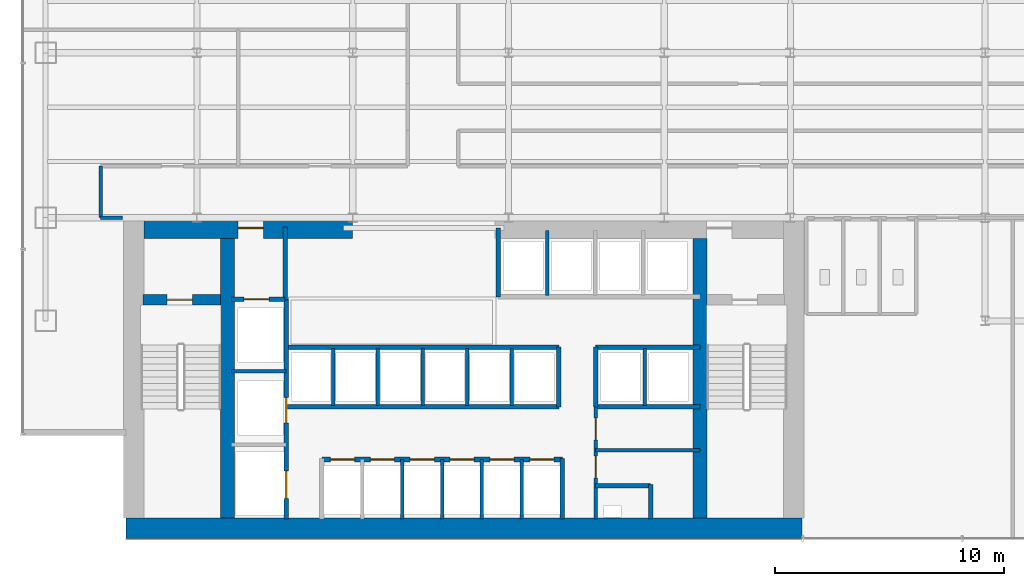
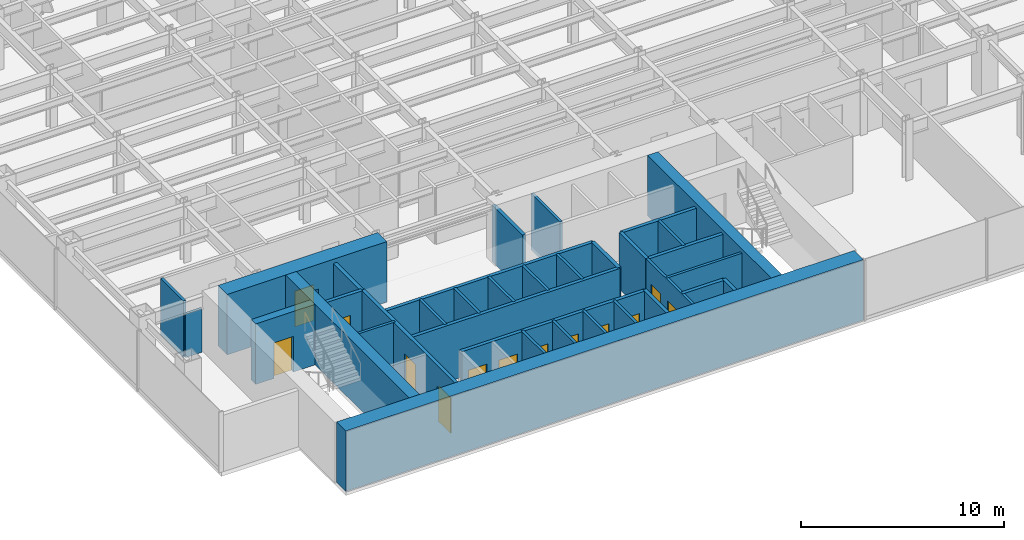
# One storey, part 17 of 22: 35 walls, 13 doors, 13 openings.
"""IFC4 building model written with IfcOpenShell, lengths in metres."""

from ifc_helpers import new_model, si_unit, derived_unit, direction, frame, frame_2d, origin, place, context, subcontext, project, spatial, rectangle, extrude, source, transform, mapped, material, layer, layer_set, type_object, element, fill, save


model = new_model("IFC4")

# Units and contexts
model_context = context("Model", 3, precision=1e-05, world=origin(), true_north=direction((0.0, 1.0)))
body_context = subcontext(model_context, "Body", "Model", "MODEL_VIEW")
ifc_project = project(units=[si_unit("LENGTHUNIT", "METRE"), si_unit("AREAUNIT", "SQUARE_METRE"), si_unit("VOLUMEUNIT", "CUBIC_METRE"), si_unit("PLANEANGLEUNIT", "RADIAN"), si_unit("MASSUNIT", "GRAM", prefix="KILO"), derived_unit("THERMALTRANSMITTANCEUNIT", [(si_unit("POWERUNIT", "WATT"), 1), (si_unit("LENGTHUNIT", "METRE"), -2), (si_unit("THERMODYNAMICTEMPERATUREUNIT", "KELVIN"), -1)])], contexts=[model_context])

# Site, building, storey
site_placement = place(None, origin())
site = spatial("IfcSite", under=ifc_project, at=site_placement, CompositionType="ELEMENT")
building_placement = place(site_placement, origin())
building = spatial("IfcBuilding", under=site, at=building_placement, Name="Skarnbrae Concourse Arena and Tower", CompositionType="ELEMENT")
storey_placement = place(building_placement, frame((0.0, 0.0, 76.300048828125)))
storey = spatial("IfcBuildingStorey", under=building, at=storey_placement, Name="L18", CompositionType="ELEMENT", Elevation=76.300048828125)

# Wall
ifc_material_1 = material(Name="Concrete 70 MPa (C70/85)", Category="concrete")
ifc_layer_1 = layer(ifc_material_1, 0.89990234375)
ifc_layer_set_1 = layer_set([ifc_layer_1], Name="Concrete 70 MPa (C70/85)")
wall_type_1 = type_object("IfcWallType", Name="WALL-CORE-900-C70", PredefinedType="SHEAR", material=ifc_layer_set_1)
shared_shape_1 = source(origin(), body_context, "Body", "SweptSolid", [
    extrude(rectangle(XDim=29.5, YDim=0.89990234375, at=frame_2d((14.75, 0.0))), origin(), (0.0, 0.0, 1.0), 3.64990234375),
])
wall_1_placement = place(storey_placement, frame((4.5, 0.449951171875, 0.0), z_axis=(0.0, 0.0, 1.0), x_axis=(1.0, 0.0, 0.0)))
element("IfcWall", 1, at=wall_1_placement, inside=storey, type_object=wall_type_1, Name="L18 Rear core shear wall CW-S", PredefinedType="SHEAR", context=body_context, shape_type="MappedRepresentation", body=[
    mapped(shared_shape_1, transform((0.0, 0.0, 0.0))),
])

# Wall, opening, door
shared_shape_2 = source(origin(), body_context, "Body", "SweptSolid", [
    extrude(rectangle(XDim=9.099853515625, YDim=0.89990234375, at=frame_2d((4.5498046875, 0.0))), origin(), (0.0, 0.0, 1.0), 3.64990234375),
])
wall_2_placement = place(storey_placement, frame((5.300048828125, 13.550048828125, 0.0), z_axis=(0.0, 0.0, 1.0), x_axis=(1.0, 0.0, 0.0)))
wall_2 = element("IfcWall", 2, at=wall_2_placement, inside=storey, type_object=wall_type_1, Name="L18 Rear core shear wall CW-NW", PredefinedType="SHEAR", context=body_context, shape_type="MappedRepresentation", body=[
    mapped(shared_shape_2, transform((0.0, 0.0, 0.0))),
])
opening_1_placement = place(wall_2_placement, frame((4.10009765625, 0.0, 0.0)))
opening_1 = element("IfcOpeningElement", 3, at=opening_1_placement, cuts=wall_2, Name="Opening DT-03", PredefinedType="OPENING", context=body_context, shape_type="SweptSolid", body=[
    extrude(rectangle(XDim=1.10009765625, YDim=2.14990234375, at=frame_2d((0.550048828125, 1.074951171875))), frame((0.0, 0.4599609375, 0.0), z_axis=(0.0, -1.0, 0.0), x_axis=(1.0, 0.0, 0.0)), (0.0, 0.0, 1.0), 0.919921875),
])
ifc_material_2 = material(Name="Steel CSA G40.21 350W", Category="steel")
door_type_1 = type_object("IfcDoorType", Name="DOOR-FIRE-1100-90M", OperationType="NOTDEFINED", PredefinedType="DOOR", material=ifc_material_2)
shared_shape_3 = source(origin(), body_context, "Body", "SweptSolid", [
    extrude(rectangle(XDim=1.10009765625, YDim=2.14990234375, at=frame_2d((0.550048828125, 1.074951171875))), frame((0.0, 0.02490234375, 0.0), z_axis=(0.0, -1.0, 0.0), x_axis=(1.0, 0.0, 0.0)), (0.0, 0.0, 1.0), 0.050048828125),
])
door_1_placement = place(opening_1_placement, origin())
door_1 = element("IfcDoor", 4, at=door_1_placement, inside=storey, type_object=door_type_1, Name="D-0660 Firefighting Lobby Exit Door", OperationType="SINGLE_SWING_RIGHT", OverallHeight=2.14990234375, OverallWidth=1.10009765625, PredefinedType="DOOR", context=body_context, shape_type="MappedRepresentation", body=[
    mapped(shared_shape_3, transform((0.0, 0.0, 0.0))),
])
fill(opening_1, door_1)

# Walls
ifc_layer_2 = layer(ifc_material_1, 0.60009765625)
ifc_layer_set_2 = layer_set([ifc_layer_2], Name="Concrete 70 MPa (C70/85)")
wall_type_2 = type_object("IfcWallType", Name="WALL-CORE-600-C70", PredefinedType="SHEAR", material=ifc_layer_set_2)
shared_shape_4 = source(origin(), body_context, "Body", "SweptSolid", [
    extrude(rectangle(XDim=12.2001953125, YDim=0.60009765625, at=frame_2d((6.10009765625, 0.0))), origin(), (0.0, 0.0, 1.0), 3.64990234375),
])
for number, where, z_axis, x_axis, name in (
    (5, (8.93994140625, 0.89990234375, 0.0), (0.0, 0.0, 1.0), (0.0, 1.0, 0.0), "L18 Rear core shear wall CW-WEB-W"),
    (6, (29.56005859375, 0.89990234375, 0.0), (0.0, 0.0, 1.0), (0.0, 1.0, 0.0), "L18 Rear core shear wall CW-WEB-E"),
):
    element("IfcWall", number, at=place(storey_placement, frame(where, z_axis=z_axis, x_axis=x_axis)), inside=storey, type_object=wall_type_2, Name=name, PredefinedType="SHEAR", context=body_context, shape_type="MappedRepresentation", body=[
        mapped(shared_shape_4, transform((0.0, 0.0, 0.0))),
    ])

# Wall, opening, door
ifc_material_3 = material(Name="Concrete 50 MPa (C50/60)", Category="concrete")
ifc_layer_3 = layer(ifc_material_3, 0.449951171875)
ifc_layer_set_3 = layer_set([ifc_layer_3], Name="Concrete 50 MPa (C50/60)")
wall_type_3 = type_object("IfcWallType", Name="WALL-CORE-450-C50", PredefinedType="SHEAR", material=ifc_layer_set_3)
shared_shape_5 = source(origin(), body_context, "Body", "SweptSolid", [
    extrude(rectangle(XDim=3.389892578125, YDim=0.449951171875, at=frame_2d((1.69482421875, 0.0))), origin(), (0.0, 0.0, 1.0), 3.64990234375),
])
wall_3_placement = place(storey_placement, frame((5.25, 10.419921875, 0.0), z_axis=(0.0, 0.0, 1.0), x_axis=(1.0, 0.0, 0.0)))
wall_3 = element("IfcWall", 7, at=wall_3_placement, inside=storey, type_object=wall_type_3, Name="L18 Rear core shear wall CW-ST1-N", PredefinedType="SHEAR", context=body_context, shape_type="MappedRepresentation", body=[
    mapped(shared_shape_5, transform((0.0, 0.0, 0.0))),
])
opening_2_placement = place(wall_3_placement, frame((1.050048828125, 0.0, 0.0)))
opening_2 = element("IfcOpeningElement", 8, at=opening_2_placement, cuts=wall_3, Name="Opening DT-03", PredefinedType="OPENING", context=body_context, shape_type="SweptSolid", body=[
    extrude(rectangle(XDim=1.10009765625, YDim=2.14990234375, at=frame_2d((0.550048828125, 1.074951171875))), frame((0.0, 0.23486328125, 0.0), z_axis=(0.0, -1.0, 0.0), x_axis=(1.0, 0.0, 0.0)), (0.0, 0.0, 1.0), 0.469970703125),
])
door_2_placement = place(opening_2_placement, frame((1.10009765625, 0.0, 0.0), z_axis=(0.0, 0.0, 1.0), x_axis=(-1.0, 0.0, 0.0)))
door_2 = element("IfcDoor", 9, at=door_2_placement, inside=storey, type_object=door_type_1, Name="D-0658 Stair ST-1 Door", OperationType="SINGLE_SWING_LEFT", OverallHeight=2.14990234375, OverallWidth=1.10009765625, PredefinedType="DOOR", context=body_context, shape_type="MappedRepresentation", body=[
    mapped(shared_shape_3, transform((0.0, 0.0, 0.0))),
])
fill(opening_2, door_2)

# Wall
ifc_material_4 = material(Name="Gypsum board on cold-formed steel studs", Category="steel")
ifc_layer_4 = layer(ifc_material_4, 0.199951171875)
ifc_layer_set_4 = layer_set([ifc_layer_4], Name="Gypsum board on cold-formed steel studs")
wall_type_4 = type_object("IfcWallType", Name="WALL-PART-200-2HR", PredefinedType="PARTITIONING", material=ifc_layer_set_4)
shared_shape_6 = source(origin(), body_context, "Body", "SweptSolid", [
    extrude(rectangle(XDim=3.18017578125, YDim=0.199951171875, at=frame_2d((1.590087890625, 0.0))), origin(), (0.0, 0.0, 1.0), 3.39990234375),
])
wall_4_placement = place(storey_placement, frame((11.449951171875, 10.419921875, 0.0), z_axis=(0.0, 0.0, 1.0), x_axis=(0.0, 1.0, 0.0)))
element("IfcWall", 10, at=wall_4_placement, inside=storey, type_object=wall_type_4, Name="L18 Interior partition wall W-L18-FFL-E", PredefinedType="PARTITIONING", context=body_context, shape_type="MappedRepresentation", body=[
    mapped(shared_shape_6, transform((0.0, 0.0, 0.0))),
])

# Wall, opening, door
shared_shape_7 = source(origin(), body_context, "Body", "SweptSolid", [
    extrude(rectangle(XDim=2.349853515625, YDim=0.199951171875, at=frame_2d((1.1748046875, 0.0))), origin(), (0.0, 0.0, 1.0), 3.39990234375),
])
wall_5_placement = place(storey_placement, frame((9.10009765625, 10.449951171875, 0.0), z_axis=(0.0, 0.0, 1.0), x_axis=(1.0, 0.0, 0.0)))
wall_5 = element("IfcWall", 11, at=wall_5_placement, inside=storey, type_object=wall_type_4, Name="L18 Interior partition wall W-L18-FL1-N", PredefinedType="PARTITIONING", context=body_context, shape_type="MappedRepresentation", body=[
    mapped(shared_shape_7, transform((0.0, 0.0, 0.0))),
])
opening_3_placement = place(wall_5_placement, frame((0.550048828125, 0.0, 0.0)))
opening_3 = element("IfcOpeningElement", 12, at=opening_3_placement, cuts=wall_5, Name="Opening LD-01", PredefinedType="OPENING", context=body_context, shape_type="SweptSolid", body=[
    extrude(rectangle(XDim=1.10009765625, YDim=2.14990234375, at=frame_2d((0.550048828125, 1.074951171875))), frame((0.0, 0.10986328125, 0.0), z_axis=(0.0, -1.0, 0.0), x_axis=(1.0, 0.0, 0.0)), (0.0, 0.0, 1.0), 0.219970703125),
])
door_type_2 = type_object("IfcDoorType", Name="DOOR-LIFT-SLIDE-1100", OperationType="SLIDING_TO_LEFT", PredefinedType="DOOR", material=ifc_material_2)
door_3_placement = place(opening_3_placement, origin())
door_3 = element("IfcDoor", 13, at=door_3_placement, inside=storey, type_object=door_type_2, Name="D-0662 Firefighting Lift Landing Door FL-01", OperationType="SLIDING_TO_LEFT", OverallHeight=2.14990234375, OverallWidth=1.10009765625, PredefinedType="DOOR", context=body_context, shape_type="MappedRepresentation", body=[
    mapped(shared_shape_3, transform((0.0, 0.0, 0.0))),
])
fill(opening_3, door_3)

# Wall, openings, doors
shared_shape_8 = source(origin(), body_context, "Body", "SweptSolid", [
    extrude(rectangle(XDim=9.599853515625, YDim=0.199951171875, at=frame_2d((4.7998046875, 0.0))), origin(), (0.0, 0.0, 1.0), 3.39990234375),
])
wall_6_placement = place(storey_placement, frame((11.5, 0.85009765625, 0.0), z_axis=(0.0, 0.0, 1.0), x_axis=(0.0, 1.0, 0.0)))
wall_6 = element("IfcWall", 14, at=wall_6_placement, inside=storey, type_object=wall_type_4, Name="L18 Interior partition wall W-L18-FL-E", PredefinedType="PARTITIONING", context=body_context, shape_type="MappedRepresentation", body=[
    mapped(shared_shape_8, transform((0.0, 0.0, 0.0))),
])
opening_4_placement = place(wall_6_placement, frame((4.199951171875, 0.0, 0.0)))
opening_4 = element("IfcOpeningElement", 15, at=opening_4_placement, cuts=wall_6, Name="Opening LD-01", PredefinedType="OPENING", context=body_context, shape_type="SweptSolid", body=[
    extrude(rectangle(XDim=1.10009765625, YDim=2.14990234375, at=frame_2d((0.550048828125, 1.074951171875))), frame((0.0, 0.10986328125, 0.0), z_axis=(0.0, -1.0, 0.0), x_axis=(1.0, 0.0, 0.0)), (0.0, 0.0, 1.0), 0.219970703125),
])
opening_5_placement = place(wall_6_placement, frame((0.89990234375, 0.0, 0.0)))
opening_5 = element("IfcOpeningElement", 16, at=opening_5_placement, cuts=wall_6, Name="Opening LD-02", PredefinedType="OPENING", context=body_context, shape_type="SweptSolid", body=[
    extrude(rectangle(XDim=1.199951171875, YDim=2.14990234375, at=frame_2d((0.60009765625, 1.074951171875))), frame((0.0, 0.10986328125, 0.0), z_axis=(0.0, -1.0, 0.0), x_axis=(1.0, 0.0, 0.0)), (0.0, 0.0, 1.0), 0.219970703125),
])
door_4_placement = place(opening_4_placement, frame((1.10009765625, 0.0, 0.0), z_axis=(0.0, 0.0, 1.0), x_axis=(-1.0, 0.0, 0.0)))
door_4 = element("IfcDoor", 17, at=door_4_placement, inside=storey, type_object=door_type_2, Name="D-0663 Firefighting Lift Landing Door FL-02", OperationType="SLIDING_TO_LEFT", OverallHeight=2.14990234375, OverallWidth=1.10009765625, PredefinedType="DOOR", context=body_context, shape_type="MappedRepresentation", body=[
    mapped(shared_shape_3, transform((0.0, 0.0, 0.0))),
])
fill(opening_4, door_4)
door_type_3 = type_object("IfcDoorType", Name="DOOR-LIFT-SLIDE-1200", OperationType="SLIDING_TO_LEFT", PredefinedType="DOOR", material=ifc_material_2)
shared_shape_9 = source(origin(), body_context, "Body", "SweptSolid", [
    extrude(rectangle(XDim=1.199951171875, YDim=2.14990234375, at=frame_2d((0.60009765625, 1.074951171875))), frame((0.0, 0.02490234375, 0.0), z_axis=(0.0, -1.0, 0.0), x_axis=(1.0, 0.0, 0.0)), (0.0, 0.0, 1.0), 0.050048828125),
])
door_5_placement = place(opening_5_placement, frame((1.199951171875, 0.0, 0.0), z_axis=(0.0, 0.0, 1.0), x_axis=(-1.0, 0.0, 0.0)))
door_5 = element("IfcDoor", 18, at=door_5_placement, inside=storey, type_object=door_type_3, Name="D-0664 Service Lift Landing Door SV-01", OperationType="SLIDING_TO_LEFT", OverallHeight=2.14990234375, OverallWidth=1.199951171875, PredefinedType="DOOR", context=body_context, shape_type="MappedRepresentation", body=[
    mapped(shared_shape_9, transform((0.0, 0.0, 0.0))),
])
fill(opening_5, door_5)

# Walls
ifc_layer_5 = layer(ifc_material_4, 0.14990234375)
ifc_layer_set_5 = layer_set([ifc_layer_5], Name="Gypsum board on cold-formed steel studs")
wall_type_5 = type_object("IfcWallType", Name="WALL-PART-150", PredefinedType="PARTITIONING", material=ifc_layer_set_5)
shared_shape_10 = source(origin(), body_context, "Body", "SweptSolid", [
    extrude(rectangle(XDim=2.39990234375, YDim=0.14990234375, at=frame_2d((1.199951171875, 0.0))), origin(), (0.0, 0.0, 1.0), 3.39990234375),
])
wall_7_placement = place(storey_placement, frame((9.10009765625, 7.300048828125, 0.0), z_axis=(0.0, 0.0, 1.0), x_axis=(1.0, 0.0, 0.0)))
element("IfcWall", 19, at=wall_7_placement, inside=storey, type_object=wall_type_5, Name="L18 Interior partition wall W-L18-FL-D2", PredefinedType="PARTITIONING", context=body_context, shape_type="MappedRepresentation", body=[
    mapped(shared_shape_10, transform((0.0, 0.0, 0.0))),
])
shared_shape_11 = source(origin(), body_context, "Body", "SweptSolid", [
    extrude(rectangle(XDim=2.64990234375, YDim=0.199951171875, at=frame_2d((1.324951171875, 0.0))), origin(), (0.0, 0.0, 1.0), 3.39990234375),
])
wall_8_placement = place(storey_placement, frame((23.550048828125, 0.85009765625, 0.0), z_axis=(0.0, 0.0, 1.0), x_axis=(0.0, 1.0, 0.0)))
element("IfcWall", 20, at=wall_8_placement, inside=storey, type_object=wall_type_4, Name="L18 Interior partition wall W-L18-B1-E", PredefinedType="PARTITIONING", context=body_context, shape_type="MappedRepresentation", body=[
    mapped(shared_shape_11, transform((0.0, 0.0, 0.0))),
])

# Wall, openings, doors
shared_shape_12 = source(origin(), body_context, "Body", "SweptSolid", [
    extrude(rectangle(XDim=10.5, YDim=0.199951171875, at=frame_2d((5.25, 0.0))), origin(), (0.0, 0.0, 1.0), 3.39990234375),
])
wall_9_placement = place(storey_placement, frame((13.050048828125, 3.449951171875, 0.0), z_axis=(0.0, 0.0, 1.0), x_axis=(1.0, 0.0, 0.0)))
wall_9 = element("IfcWall", 21, at=wall_9_placement, inside=storey, type_object=wall_type_4, Name="L18 Interior partition wall W-L18-B1-N", PredefinedType="PARTITIONING", context=body_context, shape_type="MappedRepresentation", body=[
    mapped(shared_shape_12, transform((0.0, 0.0, 0.0))),
])
opening_6_placement = place(wall_9_placement, frame((0.3798828125, 0.0, 0.0)))
opening_6 = element("IfcOpeningElement", 22, at=opening_6_placement, cuts=wall_9, Name="Opening LD-03", PredefinedType="OPENING", context=body_context, shape_type="SweptSolid", body=[
    extrude(rectangle(XDim=1.050048828125, YDim=2.14990234375, at=frame_2d((0.52490234375, 1.074951171875))), frame((0.0, 0.10986328125, 0.0), z_axis=(0.0, -1.0, 0.0), x_axis=(1.0, 0.0, 0.0)), (0.0, 0.0, 1.0), 0.219970703125),
])
opening_7_placement = place(wall_9_placement, frame((2.1201171875, 0.0, 0.0)))
opening_7 = element("IfcOpeningElement", 23, at=opening_7_placement, cuts=wall_9, Name="Opening LD-03", PredefinedType="OPENING", context=body_context, shape_type="SweptSolid", body=[
    extrude(rectangle(XDim=1.050048828125, YDim=2.14990234375, at=frame_2d((0.52490234375, 1.074951171875))), frame((0.0, 0.10986328125, 0.0), z_axis=(0.0, -1.0, 0.0), x_axis=(1.0, 0.0, 0.0)), (0.0, 0.0, 1.0), 0.219970703125),
])
opening_8_placement = place(wall_9_placement, frame((3.860107421875, 0.0, 0.0)))
opening_8 = element("IfcOpeningElement", 24, at=opening_8_placement, cuts=wall_9, Name="Opening LD-03", PredefinedType="OPENING", context=body_context, shape_type="SweptSolid", body=[
    extrude(rectangle(XDim=1.050048828125, YDim=2.14990234375, at=frame_2d((0.52490234375, 1.074951171875))), frame((0.0, 0.10986328125, 0.0), z_axis=(0.0, -1.0, 0.0), x_axis=(1.0, 0.0, 0.0)), (0.0, 0.0, 1.0), 0.219970703125),
])
opening_9_placement = place(wall_9_placement, frame((5.60009765625, 0.0, 0.0)))
opening_9 = element("IfcOpeningElement", 25, at=opening_9_placement, cuts=wall_9, Name="Opening LD-03", PredefinedType="OPENING", context=body_context, shape_type="SweptSolid", body=[
    extrude(rectangle(XDim=1.050048828125, YDim=2.14990234375, at=frame_2d((0.52490234375, 1.074951171875))), frame((0.0, 0.10986328125, 0.0), z_axis=(0.0, -1.0, 0.0), x_axis=(1.0, 0.0, 0.0)), (0.0, 0.0, 1.0), 0.219970703125),
])
opening_10_placement = place(wall_9_placement, frame((7.340087890625, 0.0, 0.0)))
opening_10 = element("IfcOpeningElement", 26, at=opening_10_placement, cuts=wall_9, Name="Opening LD-03", PredefinedType="OPENING", context=body_context, shape_type="SweptSolid", body=[
    extrude(rectangle(XDim=1.050048828125, YDim=2.14990234375, at=frame_2d((0.52490234375, 1.074951171875))), frame((0.0, 0.10986328125, 0.0), z_axis=(0.0, -1.0, 0.0), x_axis=(1.0, 0.0, 0.0)), (0.0, 0.0, 1.0), 0.219970703125),
])
opening_11_placement = place(wall_9_placement, frame((9.080078125, 0.0, 0.0)))
opening_11 = element("IfcOpeningElement", 27, at=opening_11_placement, cuts=wall_9, Name="Opening LD-03", PredefinedType="OPENING", context=body_context, shape_type="SweptSolid", body=[
    extrude(rectangle(XDim=1.050048828125, YDim=2.14990234375, at=frame_2d((0.52490234375, 1.074951171875))), frame((0.0, 0.10986328125, 0.0), z_axis=(0.0, -1.0, 0.0), x_axis=(1.0, 0.0, 0.0)), (0.0, 0.0, 1.0), 0.219970703125),
])
ifc_material_5 = material(Name="Bronze anodised aluminium 6063-T6", Category="aluminium")
door_type_4 = type_object("IfcDoorType", Name="DOOR-LIFT-SLIDE-1050", OperationType="SLIDING_TO_LEFT", PredefinedType="DOOR", material=ifc_material_5)
shared_shape_13 = source(origin(), body_context, "Body", "SweptSolid", [
    extrude(rectangle(XDim=1.050048828125, YDim=2.14990234375, at=frame_2d((0.52490234375, 1.074951171875))), frame((0.0, 0.02490234375, 0.0), z_axis=(0.0, -1.0, 0.0), x_axis=(1.0, 0.0, 0.0)), (0.0, 0.0, 1.0), 0.050048828125),
])
door_6_placement = place(opening_6_placement, origin())
door_6 = element("IfcDoor", 28, at=door_6_placement, inside=storey, type_object=door_type_4, Name="D-0665 Passenger Lift Landing Door PL-1A", OperationType="SLIDING_TO_LEFT", OverallHeight=2.14990234375, OverallWidth=1.050048828125, PredefinedType="DOOR", context=body_context, shape_type="MappedRepresentation", body=[
    mapped(shared_shape_13, transform((0.0, 0.0, 0.0))),
])
fill(opening_6, door_6)
door_7_placement = place(opening_7_placement, origin())
door_7 = element("IfcDoor", 29, at=door_7_placement, inside=storey, type_object=door_type_4, Name="D-0666 Passenger Lift Landing Door PL-1B", OperationType="SLIDING_TO_LEFT", OverallHeight=2.14990234375, OverallWidth=1.050048828125, PredefinedType="DOOR", context=body_context, shape_type="MappedRepresentation", body=[
    mapped(shared_shape_13, transform((0.0, 0.0, 0.0))),
])
fill(opening_7, door_7)
door_8_placement = place(opening_8_placement, origin())
door_8 = element("IfcDoor", 30, at=door_8_placement, inside=storey, type_object=door_type_4, Name="D-0667 Passenger Lift Landing Door PL-1C", OperationType="SLIDING_TO_LEFT", OverallHeight=2.14990234375, OverallWidth=1.050048828125, PredefinedType="DOOR", context=body_context, shape_type="MappedRepresentation", body=[
    mapped(shared_shape_13, transform((0.0, 0.0, 0.0))),
])
fill(opening_8, door_8)
door_9_placement = place(opening_9_placement, origin())
door_9 = element("IfcDoor", 31, at=door_9_placement, inside=storey, type_object=door_type_4, Name="D-0668 Passenger Lift Landing Door PL-1D", OperationType="SLIDING_TO_LEFT", OverallHeight=2.14990234375, OverallWidth=1.050048828125, PredefinedType="DOOR", context=body_context, shape_type="MappedRepresentation", body=[
    mapped(shared_shape_13, transform((0.0, 0.0, 0.0))),
])
fill(opening_9, door_9)
door_10_placement = place(opening_10_placement, origin())
door_10 = element("IfcDoor", 32, at=door_10_placement, inside=storey, type_object=door_type_4, Name="D-0669 Passenger Lift Landing Door PL-1E", OperationType="SLIDING_TO_LEFT", OverallHeight=2.14990234375, OverallWidth=1.050048828125, PredefinedType="DOOR", context=body_context, shape_type="MappedRepresentation", body=[
    mapped(shared_shape_13, transform((0.0, 0.0, 0.0))),
])
fill(opening_10, door_10)
door_11_placement = place(opening_11_placement, origin())
door_11 = element("IfcDoor", 33, at=door_11_placement, inside=storey, type_object=door_type_4, Name="D-0670 Passenger Lift Landing Door PL-1F", OperationType="SLIDING_TO_LEFT", OverallHeight=2.14990234375, OverallWidth=1.050048828125, PredefinedType="DOOR", context=body_context, shape_type="MappedRepresentation", body=[
    mapped(shared_shape_13, transform((0.0, 0.0, 0.0))),
])
fill(opening_11, door_11)

# Walls
shared_shape_14 = source(origin(), body_context, "Body", "SweptSolid", [
    extrude(rectangle(XDim=2.599853515625, YDim=0.14990234375, at=frame_2d((1.2998046875, 0.0))), origin(), (0.0, 0.0, 1.0), 3.39990234375),
])
for number, where, z_axis, x_axis, name in (
    (34, (16.56005859375, 0.85009765625, 0.0), (0.0, 0.0, 1.0), (0.0, 1.0, 0.0), "L18 Interior partition wall W-L18-B1-P2"),
    (35, (18.300048828125, 0.85009765625, 0.0), (0.0, 0.0, 1.0), (0.0, 1.0, 0.0), "L18 Interior partition wall W-L18-B1-P3"),
    (36, (20.0400390625, 0.85009765625, 0.0), (0.0, 0.0, 1.0), (0.0, 1.0, 0.0), "L18 Interior partition wall W-L18-B1-P4"),
    (37, (21.780029296875, 0.85009765625, 0.0), (0.0, 0.0, 1.0), (0.0, 1.0, 0.0), "L18 Interior partition wall W-L18-B1-P5"),
):
    element("IfcWall", number, at=place(storey_placement, frame(where, z_axis=z_axis, x_axis=x_axis)), inside=storey, type_object=wall_type_5, Name=name, PredefinedType="PARTITIONING", context=body_context, shape_type="MappedRepresentation", body=[
        mapped(shared_shape_14, transform((0.0, 0.0, 0.0))),
    ])
shared_shape_15 = source(origin(), body_context, "Body", "SweptSolid", [
    extrude(rectangle(XDim=11.849853515625, YDim=0.199951171875, at=frame_2d((5.9248046875, 0.0))), origin(), (0.0, 0.0, 1.0), 3.39990234375),
])
for number, where, z_axis, x_axis, name in (
    (38, (11.550048828125, 5.75, 0.0), (0.0, 0.0, 1.0), (1.0, 0.0, 0.0), "L18 Interior partition wall W-L18-B2-S"),
    (39, (11.550048828125, 8.35009765625, 0.0), (0.0, 0.0, 1.0), (1.0, 0.0, 0.0), "L18 Interior partition wall W-L18-B2-N"),
):
    element("IfcWall", number, at=place(storey_placement, frame(where, z_axis=z_axis, x_axis=x_axis)), inside=storey, type_object=wall_type_4, Name=name, PredefinedType="PARTITIONING", context=body_context, shape_type="MappedRepresentation", body=[
        mapped(shared_shape_15, transform((0.0, 0.0, 0.0))),
    ])
shared_shape_16 = source(origin(), body_context, "Body", "SweptSolid", [
    extrude(rectangle(XDim=2.60009765625, YDim=0.199951171875, at=frame_2d((1.300048828125, 0.0))), origin(), (0.0, 0.0, 1.0), 3.39990234375),
])
for number, where, z_axis, x_axis, name in (
    (40, (23.39990234375, 5.75, 0.0), (0.0, 0.0, 1.0), (0.0, 1.0, 0.0), "L18 Interior partition wall W-L18-B2-E"),
    (41, (25.0, 5.75, 0.0), (0.0, 0.0, 1.0), (0.0, 1.0, 0.0), "L18 Interior partition wall W-L18-B3S-W"),
):
    element("IfcWall", number, at=place(storey_placement, frame(where, z_axis=z_axis, x_axis=x_axis)), inside=storey, type_object=wall_type_4, Name=name, PredefinedType="PARTITIONING", context=body_context, shape_type="MappedRepresentation", body=[
        mapped(shared_shape_16, transform((0.0, 0.0, 0.0))),
    ])
shared_shape_17 = source(origin(), body_context, "Body", "SweptSolid", [
    extrude(rectangle(XDim=2.5, YDim=0.14990234375, at=frame_2d((1.25, 0.0))), origin(), (0.0, 0.0, 1.0), 3.39990234375),
])
for number, where, z_axis, x_axis, name in (
    (42, (13.550048828125, 5.800048828125, 0.0), (0.0, 0.0, 1.0), (0.0, 1.0, 0.0), "L18 Interior partition wall W-L18-B2-P1"),
    (43, (15.5, 5.800048828125, 0.0), (0.0, 0.0, 1.0), (0.0, 1.0, 0.0), "L18 Interior partition wall W-L18-B2-P2"),
    (44, (17.449951171875, 5.800048828125, 0.0), (0.0, 0.0, 1.0), (0.0, 1.0, 0.0), "L18 Interior partition wall W-L18-B2-P3"),
    (45, (19.39990234375, 5.800048828125, 0.0), (0.0, 0.0, 1.0), (0.0, 1.0, 0.0), "L18 Interior partition wall W-L18-B2-P4"),
    (46, (21.35009765625, 5.800048828125, 0.0), (0.0, 0.0, 1.0), (0.0, 1.0, 0.0), "L18 Interior partition wall W-L18-B2-P5"),
    (47, (27.139892578125, 5.800048828125, 0.0), (0.0, 0.0, 1.0), (0.0, 1.0, 0.0), "L18 Interior partition wall W-L18-B3S-P1"),
):
    element("IfcWall", number, at=place(storey_placement, frame(where, z_axis=z_axis, x_axis=x_axis)), inside=storey, type_object=wall_type_5, Name=name, PredefinedType="PARTITIONING", context=body_context, shape_type="MappedRepresentation", body=[
        mapped(shared_shape_17, transform((0.0, 0.0, 0.0))),
    ])
shared_shape_18 = source(origin(), body_context, "Body", "SweptSolid", [
    extrude(rectangle(XDim=3.0, YDim=0.199951171875, at=frame_2d((1.5, 0.0))), origin(), (0.0, 0.0, 1.0), 3.39990234375),
])
wall_10_placement = place(storey_placement, frame((20.75, 10.550048828125, 0.0), z_axis=(0.0, 0.0, 1.0), x_axis=(0.0, 1.0, 0.0)))
element("IfcWall", 48, at=wall_10_placement, inside=storey, type_object=wall_type_4, Name="L18 Interior partition wall W-L18-B3N-W", PredefinedType="PARTITIONING", context=body_context, shape_type="MappedRepresentation", body=[
    mapped(shared_shape_18, transform((0.0, 0.0, 0.0))),
])
shared_shape_19 = source(origin(), body_context, "Body", "SweptSolid", [
    extrude(rectangle(XDim=2.849853515625, YDim=0.14990234375, at=frame_2d((1.4248046875, 0.0))), origin(), (0.0, 0.0, 1.0), 3.39990234375),
])
wall_11_placement = place(storey_placement, frame((22.889892578125, 10.60009765625, 0.0), z_axis=(0.0, 0.0, 1.0), x_axis=(0.0, 1.0, 0.0)))
element("IfcWall", 49, at=wall_11_placement, inside=storey, type_object=wall_type_5, Name="L18 Interior partition wall W-L18-B3N-P1", PredefinedType="PARTITIONING", context=body_context, shape_type="MappedRepresentation", body=[
    mapped(shared_shape_19, transform((0.0, 0.0, 0.0))),
])
shared_shape_20 = source(origin(), body_context, "Body", "SweptSolid", [
    extrude(rectangle(XDim=4.550048828125, YDim=0.199951171875, at=frame_2d((2.27490234375, 0.0))), origin(), (0.0, 0.0, 1.0), 3.39990234375),
])
for number, where, z_axis, x_axis, name in (
    (50, (25.0, 8.35009765625, 0.0), (0.0, 0.0, 1.0), (1.0, 0.0, 0.0), "L18 Interior partition wall W-L18-B3S-N"),
    (51, (25.0, 5.75, 0.0), (0.0, 0.0, 1.0), (1.0, 0.0, 0.0), "L18 Interior partition wall W-L18-B3S-S"),
):
    element("IfcWall", number, at=place(storey_placement, frame(where, z_axis=z_axis, x_axis=x_axis)), inside=storey, type_object=wall_type_4, Name=name, PredefinedType="PARTITIONING", context=body_context, shape_type="MappedRepresentation", body=[
        mapped(shared_shape_20, transform((0.0, 0.0, 0.0))),
    ])

# Wall, openings, doors
ifc_layer_6 = layer(ifc_material_4, 0.14990234375)
ifc_layer_set_6 = layer_set([ifc_layer_6], Name="Gypsum board on cold-formed steel studs")
wall_type_6 = type_object("IfcWallType", Name="WALL-PART-150-1HR", PredefinedType="PARTITIONING", material=ifc_layer_set_6)
shared_shape_21 = source(origin(), body_context, "Body", "SweptSolid", [
    extrude(rectangle(XDim=4.89990234375, YDim=0.14990234375, at=frame_2d((2.449951171875, 0.0))), origin(), (0.0, 0.0, 1.0), 3.39990234375),
])
wall_12_placement = place(storey_placement, frame((25.0, 0.85009765625, 0.0), z_axis=(0.0, 0.0, 1.0), x_axis=(0.0, 1.0, 0.0)))
wall_12 = element("IfcWall", 52, at=wall_12_placement, inside=storey, type_object=wall_type_6, Name="L18 Interior partition wall W-L18-CSV-W", PredefinedType="PARTITIONING", context=body_context, shape_type="MappedRepresentation", body=[
    mapped(shared_shape_21, transform((0.0, 0.0, 0.0))),
])
opening_12_placement = place(wall_12_placement, frame((1.800048828125, 0.0, 0.0)))
opening_12 = element("IfcOpeningElement", 53, at=opening_12_placement, cuts=wall_12, Name="Opening DT-04", PredefinedType="OPENING", context=body_context, shape_type="SweptSolid", body=[
    extrude(rectangle(XDim=0.949951171875, YDim=2.14990234375, at=frame_2d((0.47509765625, 1.074951171875))), frame((0.0, 0.0849609375, 0.0), z_axis=(0.0, -1.0, 0.0), x_axis=(1.0, 0.0, 0.0)), (0.0, 0.0, 1.0), 0.169921875),
])
opening_13_placement = place(wall_12_placement, frame((3.449951171875, 0.0, 0.0)))
opening_13 = element("IfcOpeningElement", 54, at=opening_13_placement, cuts=wall_12, Name="Opening DT-04", PredefinedType="OPENING", context=body_context, shape_type="SweptSolid", body=[
    extrude(rectangle(XDim=0.949951171875, YDim=2.14990234375, at=frame_2d((0.47509765625, 1.074951171875))), frame((0.0, 0.0849609375, 0.0), z_axis=(0.0, -1.0, 0.0), x_axis=(1.0, 0.0, 0.0)), (0.0, 0.0, 1.0), 0.169921875),
])
door_type_5 = type_object("IfcDoorType", Name="DOOR-INT-950-45M", OperationType="NOTDEFINED", PredefinedType="DOOR", material=ifc_material_2)
shared_shape_22 = source(origin(), body_context, "Body", "SweptSolid", [
    extrude(rectangle(XDim=0.949951171875, YDim=2.14990234375, at=frame_2d((0.47509765625, 1.074951171875))), frame((0.0, 0.02490234375, 0.0), z_axis=(0.0, -1.0, 0.0), x_axis=(1.0, 0.0, 0.0)), (0.0, 0.0, 1.0), 0.050048828125),
])
door_12_placement = place(opening_12_placement, origin())
door_12 = element("IfcDoor", 55, at=door_12_placement, inside=storey, type_object=door_type_5, Name="D-0671 Electrical Switch Room Door", OperationType="SINGLE_SWING_LEFT", OverallHeight=2.14990234375, OverallWidth=0.949951171875, PredefinedType="DOOR", context=body_context, shape_type="MappedRepresentation", body=[
    mapped(shared_shape_22, transform((0.0, 0.0, 0.0))),
])
fill(opening_12, door_12)
door_13_placement = place(opening_13_placement, origin())
door_13 = element("IfcDoor", 56, at=door_13_placement, inside=storey, type_object=door_type_5, Name="D-0672 Cleaner Store Door", OperationType="SINGLE_SWING_RIGHT", OverallHeight=2.14990234375, OverallWidth=0.949951171875, PredefinedType="DOOR", context=body_context, shape_type="MappedRepresentation", body=[
    mapped(shared_shape_22, transform((0.0, 0.0, 0.0))),
])
fill(opening_13, door_13)

# Walls
shared_shape_23 = source(origin(), body_context, "Body", "SweptSolid", [
    extrude(rectangle(XDim=2.39990234375, YDim=0.199951171875, at=frame_2d((1.199951171875, 0.0))), origin(), (0.0, 0.0, 1.0), 3.39990234375),
])
wall_13_placement = place(storey_placement, frame((25.0, 2.300048828125, 0.0), z_axis=(0.0, 0.0, 1.0), x_axis=(1.0, 0.0, 0.0)))
element("IfcWall", 57, at=wall_13_placement, inside=storey, type_object=wall_type_4, Name="L18 Interior partition wall W-L18-MEP-N", PredefinedType="PARTITIONING", context=body_context, shape_type="MappedRepresentation", body=[
    mapped(shared_shape_23, transform((0.0, 0.0, 0.0))),
])
shared_shape_24 = source(origin(), body_context, "Body", "SweptSolid", [
    extrude(rectangle(XDim=1.5, YDim=0.199951171875, at=frame_2d((0.75, 0.0))), origin(), (0.0, 0.0, 1.0), 3.39990234375),
])
wall_14_placement = place(storey_placement, frame((27.39990234375, 0.85009765625, 0.0), z_axis=(0.0, 0.0, 1.0), x_axis=(0.0, 1.0, 0.0)))
element("IfcWall", 58, at=wall_14_placement, inside=storey, type_object=wall_type_4, Name="L18 Interior partition wall W-L18-MEP-E", PredefinedType="PARTITIONING", context=body_context, shape_type="MappedRepresentation", body=[
    mapped(shared_shape_24, transform((0.0, 0.0, 0.0))),
])
shared_shape_25 = source(origin(), body_context, "Body", "SweptSolid", [
    extrude(rectangle(XDim=4.550048828125, YDim=0.14990234375, at=frame_2d((2.27490234375, 0.0))), origin(), (0.0, 0.0, 1.0), 3.39990234375),
])
wall_15_placement = place(storey_placement, frame((25.0, 3.85009765625, 0.0), z_axis=(0.0, 0.0, 1.0), x_axis=(1.0, 0.0, 0.0)))
element("IfcWall", 59, at=wall_15_placement, inside=storey, type_object=wall_type_5, Name="L18 Interior partition wall W-L18-CSV-H", PredefinedType="PARTITIONING", context=body_context, shape_type="MappedRepresentation", body=[
    mapped(shared_shape_25, transform((0.0, 0.0, 0.0))),
])
shared_shape_26 = source(origin(), body_context, "Body", "SweptSolid", [
    extrude(rectangle(XDim=0.9501953125, YDim=0.14990234375, at=frame_2d((0.47509765625, 0.0))), origin(), (0.0, 0.0, 1.0), 2.625),
])
wall_16_placement = place(storey_placement, frame((4.35009765625, 14.0, 0.0), z_axis=(0.0, 0.0, 1.0), x_axis=(-1.0, 0.0, 0.0)))
element("IfcWall", 60, at=wall_16_placement, inside=storey, type_object=wall_type_6, Name="L18 Interior partition wall W-L18-COR-01", PredefinedType="PARTITIONING", context=body_context, shape_type="MappedRepresentation", body=[
    mapped(shared_shape_26, transform((0.0, 0.0, 0.0))),
])
shared_shape_27 = source(origin(), body_context, "Body", "SweptSolid", [
    extrude(rectangle(XDim=2.25, YDim=0.14990234375, at=frame_2d((1.125, 0.0))), origin(), (0.0, 0.0, 1.0), 3.39990234375),
])
wall_17_placement = place(storey_placement, frame((3.39990234375, 14.0, 0.0), z_axis=(0.0, 0.0, 1.0), x_axis=(0.0, 1.0, 0.0)))
element("IfcWall", 61, at=wall_17_placement, inside=storey, type_object=wall_type_6, Name="L18 Interior partition wall W-L18-COR-02", PredefinedType="PARTITIONING", context=body_context, shape_type="MappedRepresentation", body=[
    mapped(shared_shape_27, transform((0.0, 0.0, 0.0))),
])

save(model, "model.ifc")
